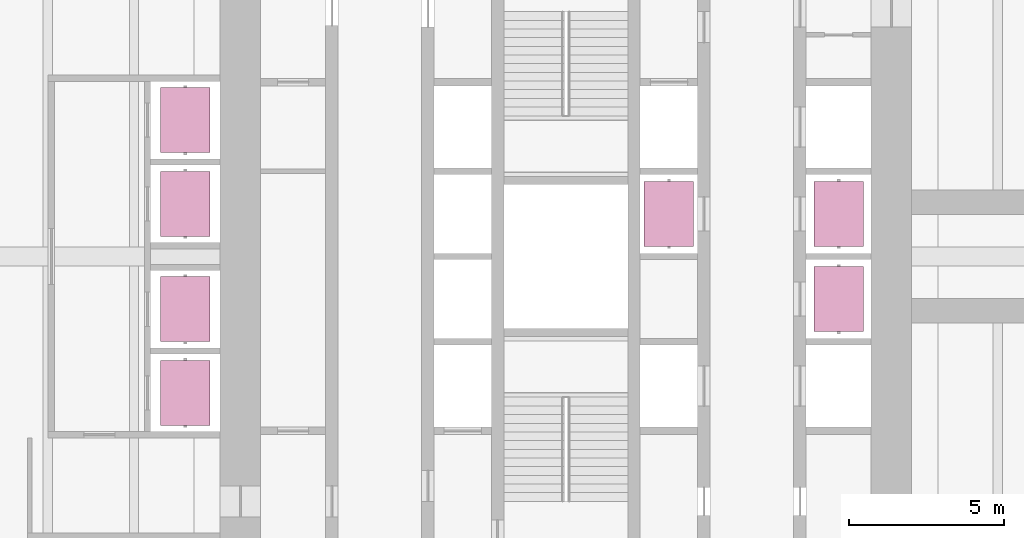
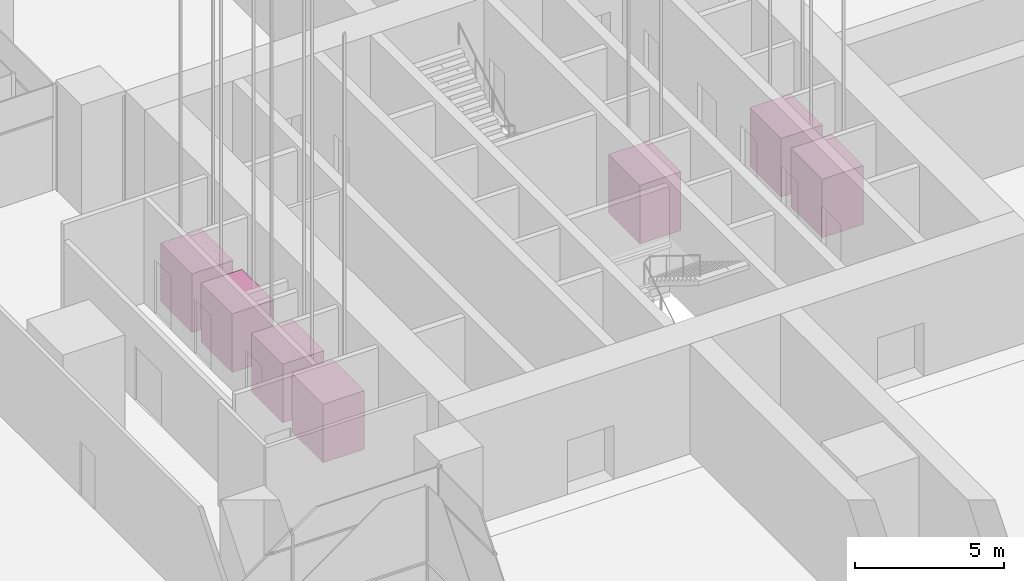
# One storey, part 20 of 34: 7 transport elements.
"""IFC4 building model written with IfcOpenShell, lengths in metres."""

import ifcopenshell
import ifcopenshell.guid

model = None  # the IFC model being written
_history = None  # IfcOwnerHistory: only IFC2X3 demands one
_inside = {}  # id of a spatial element -> (the spatial element, [elements in it])
_under = {}  # id of a project, library or spatial element -> (it, [spatial elements below it])
_declared = {}  # id of a project -> (the project, [libraries it declares])
_typed = {}  # id of a type object -> (the type object, [elements of that type])
_made_of = {}  # id of a material, layer set ... -> (it, [elements and type objects made of it])


def new_model(schema):
    """Start an empty IFC model of exactly this schema.

    Asked for "IFC4X3", IfcOpenShell would pick the latest addendum, in which some entities
    have other attributes; the version numbers below select the first issue.
    IFC2X3 requires an IfcOwnerHistory on every rooted entity: one is made here for all.
    """
    global model, _history
    if schema == "IFC4X3":
        model = ifcopenshell.file(schema_version=(4, 3, 0, 0))
    else:
        model = ifcopenshell.file(schema=schema)
    _inside.clear()
    _under.clear()
    _declared.clear()
    _typed.clear()
    _made_of.clear()
    _history = None
    if model.schema == "IFC2X3":
        org = make("IfcOrganization", Name="unknown")
        user = make(
            "IfcPersonAndOrganization",
            ThePerson=make("IfcPerson", FamilyName="unknown"),
            TheOrganization=org,
        )
        app = make(
            "IfcApplication",
            ApplicationDeveloper=org,
            Version="unknown",
            ApplicationFullName="unknown",
            ApplicationIdentifier="unknown",
        )
        _history = make(
            "IfcOwnerHistory",
            OwningUser=user,
            OwningApplication=app,
            ChangeAction="ADDED",
            CreationDate=0,
        )
    return model


def make(cls, **values):
    """One entity of the class cls with the attributes given. An attribute that is None is left unset."""
    return model.create_entity(
        cls, **{name: value for name, value in values.items() if value is not None}
    )


def rooted(cls, **values):
    """An entity with a GlobalId (a new one), such as an element, a storey or a relation."""
    return make(cls, GlobalId=ifcopenshell.guid.new(), OwnerHistory=_history, **values)


def si_unit(unit_type, name, prefix=None):
    """IfcSIUnit, for example si_unit("LENGTHUNIT", "METRE", prefix="MILLI")."""
    return make("IfcSIUnit", UnitType=unit_type, Prefix=prefix, Name=name)


def assignment(units):
    """IfcUnitAssignment: the units of a project."""
    return None if units is None else make("IfcUnitAssignment", Units=units)


def point(xyz):
    """IfcCartesianPoint."""
    return None if xyz is None else make("IfcCartesianPoint", Coordinates=xyz)


def direction(xyz):
    """IfcDirection."""
    return None if xyz is None else make("IfcDirection", DirectionRatios=xyz)


def frame(location, z_axis=None, x_axis=None):
    """IfcAxis2Placement3D, a coordinate frame: its origin and axes. An axis left out is left unset."""
    return make(
        "IfcAxis2Placement3D",
        Location=point(location),
        Axis=direction(z_axis),
        RefDirection=direction(x_axis),
    )


def frame_2d(location, x_axis=None):
    """IfcAxis2Placement2D, a coordinate frame in the plane: its origin and x axis."""
    return make(
        "IfcAxis2Placement2D", Location=point(location), RefDirection=direction(x_axis)
    )


def origin():
    """The frame at (0, 0, 0) with its axes left unset."""
    return frame((0.0, 0.0, 0.0))


def origin_2d():
    """The frame at (0, 0) in the plane with its x axis left unset."""
    return frame_2d((0.0, 0.0))


def place(relative_to, where):
    """IfcLocalPlacement: puts the frame where relative to a parent placement (None: the world)."""
    return make(
        "IfcLocalPlacement", PlacementRelTo=relative_to, RelativePlacement=where
    )


def context(
    kind, dimensions, precision=None, world=None, true_north=None, identifier=None
):
    """IfcGeometricRepresentationContext, for example the 3D "Model" context."""
    return make(
        "IfcGeometricRepresentationContext",
        ContextIdentifier=identifier,
        ContextType=kind,
        CoordinateSpaceDimension=dimensions,
        Precision=precision,
        WorldCoordinateSystem=world,
        TrueNorth=true_north,
    )


def subcontext(parent, identifier, kind, view, scale=None):
    """IfcGeometricRepresentationSubContext, for example "Body" below "Model"."""
    return make(
        "IfcGeometricRepresentationSubContext",
        ContextIdentifier=identifier,
        ContextType=kind,
        ParentContext=parent,
        TargetScale=scale,
        TargetView=view,
    )


def project(units=None, contexts=None):
    """IfcProject with its units and contexts."""
    return rooted(
        "IfcProject",
        Name="project",
        RepresentationContexts=contexts,
        UnitsInContext=assignment(units),
    )


def spatial(cls, under=None, at=None, **own):
    """A site, building, storey or space (cls), placed at a placement, below another one or the project."""
    s = rooted(cls, ObjectPlacement=at, **own)
    if under is not None:
        _under.setdefault(under.id(), (under, []))[1].append(s)
    return s


def profile(cls, at=None, kind="AREA", **sizes):
    """A parametric profile (cls). Its sizes go by their IFC names, for example OverallWidth=200.0."""
    return make(cls, ProfileType=kind, Position=at, **sizes)


def rectangle(**sizes):
    """IfcRectangleProfileDef."""
    return profile("IfcRectangleProfileDef", **sizes)


def extrude(swept, where, along, depth):
    """IfcExtrudedAreaSolid: the profile swept, set in the frame where, extruded along a direction by depth."""
    return make(
        "IfcExtrudedAreaSolid",
        SweptArea=swept,
        Position=where,
        ExtrudedDirection=direction(along),
        Depth=depth,
    )


def shape(context_of_items, identifier, shape_type, items):
    """IfcShapeRepresentation: the items that make up one representation, for example the "Body"."""
    return make(
        "IfcShapeRepresentation",
        ContextOfItems=context_of_items,
        RepresentationIdentifier=identifier,
        RepresentationType=shape_type,
        Items=items,
    )


def material(Name=None, Category=None):
    """IfcMaterial."""
    return make("IfcMaterial", Name=Name, Category=Category)


def made_of(thing, what):
    """Note that an element or type object is made of a material, layer set ...; save() writes the relation."""
    if what is not None:
        _made_of.setdefault(what.id(), (what, []))[1].append(thing)
    return thing


def type_object(cls, material=None, **own):
    """A type object (cls), such as IfcWallType, which elements share."""
    return made_of(rooted(cls, **own), material)


def element(
    cls,
    number,
    at=None,
    inside=None,
    cuts=None,
    type_object=None,
    material=None,
    context=None,
    identifier="Body",
    shape_type=None,
    held_by="IfcProductDefinitionShape",
    body=None,
    shapes=None,
    **own,
):
    """One element of the class cls, such as IfcWall. Its Tag is "e" and its number.

    at: its placement. inside: the storey or other place that contains it. cuts: it is an
    opening in that element (IfcRelVoidsElement). A single representation is given by context,
    identifier, shape_type and body (its items); several are given by shapes. held_by: the class
    of the entity that holds the representations. save() writes the other relations.
    """
    e = rooted(cls, Tag="e%d" % number, ObjectPlacement=at, **own)
    if body is not None:
        shapes = [shape(context, identifier, shape_type, body)]
    if shapes is not None:
        e.Representation = make(held_by, Representations=shapes)
    if inside is not None:
        _inside.setdefault(inside.id(), (inside, []))[1].append(e)
    if cuts is not None:
        rooted(
            "IfcRelVoidsElement", RelatingBuildingElement=cuts, RelatedOpeningElement=e
        )
    if type_object is not None:
        _typed.setdefault(type_object.id(), (type_object, []))[1].append(e)
    return made_of(e, material)


def aggregate(whole, parts):
    """IfcRelAggregates: a whole, such as a stair, and the parts it consists of."""
    return rooted("IfcRelAggregates", RelatingObject=whole, RelatedObjects=parts)


def save(model, path):
    """Write the relations noted so far, then the file.

    IfcRelAggregates (storeys below a building ...), IfcRelContainedInSpatialStructure (elements
    in a storey), IfcRelDefinesByType, IfcRelAssociatesMaterial and IfcRelDeclares: one each for
    every whole, place, type object, material and project.
    """
    for whole, parts in _under.values():
        aggregate(whole, parts)
    for where, things in _inside.values():
        rooted(
            "IfcRelContainedInSpatialStructure",
            RelatedElements=things,
            RelatingStructure=where,
        )
    for kind, things in _typed.values():
        rooted("IfcRelDefinesByType", RelatedObjects=things, RelatingType=kind)
    for what, things in _made_of.values():
        rooted("IfcRelAssociatesMaterial", RelatedObjects=things, RelatingMaterial=what)
    for by, libraries in _declared.values():
        rooted("IfcRelDeclares", RelatingContext=by, RelatedDefinitions=libraries)
    model.write(path)


model = new_model("IFC4")

# Units and contexts
model_context = context("Model", 3, precision=1e-05, world=origin(), true_north=direction((0.0, 1.0)))
body_context = subcontext(model_context, "Body", "Model", "MODEL_VIEW")
ifc_project = project(units=[si_unit("LENGTHUNIT", "METRE"), si_unit("AREAUNIT", "SQUARE_METRE"), si_unit("VOLUMEUNIT", "CUBIC_METRE"), si_unit("PLANEANGLEUNIT", "RADIAN"), si_unit("MASSUNIT", "GRAM", prefix="KILO")], contexts=[model_context])

# Site, building, storey
site_placement = place(None, origin())
site = spatial("IfcSite", under=ifc_project, at=site_placement, CompositionType="ELEMENT")
building_placement = place(site_placement, origin())
building = spatial("IfcBuilding", under=site, at=building_placement, Name="Mizan Broadcast Tower", CompositionType="ELEMENT")
storey_placement = place(building_placement, frame((0.0, 0.0, 194.39990234375)))
storey = spatial("IfcBuildingStorey", under=building, at=storey_placement, Name="L45", CompositionType="ELEMENT", Elevation=194.39990234375)

# Transport elements
ifc_material = material(Name="Stainless steel lift car", Category="steel")
transport_element_type = type_object("IfcTransportElementType", Name="LIFT CAR PASSENGER 2100x1600", PredefinedType="ELEVATOR", material=ifc_material)
for number, where, z_axis, x_axis, name in (
    (1, (-12.27490234375, 4.39990234375, 0.000244140625), (0.0, 0.0, 1.0), (1.0, 0.0, 0.0), "Lift LC1"),
    (2, (-12.27490234375, 1.699951171875, 0.000244140625), (0.0, 0.0, 1.0), (1.0, 0.0, 0.0), "Lift LC2"),
    (3, (-12.27490234375, -1.699951171875, 0.000244140625), (0.0, 0.0, 1.0), (1.0, 0.0, 0.0), "Lift LC3"),
    (4, (-12.27490234375, -4.39990234375, 0.000244140625), (0.0, 0.0, 1.0), (1.0, 0.0, 0.0), "Lift LC4"),
    (5, (8.800048828125, 1.375, 0.000244140625), (0.0, 0.0, 1.0), (1.0, 0.0, 0.0), "Lift LD1"),
    (6, (8.800048828125, -1.375, 0.000244140625), (0.0, 0.0, 1.0), (1.0, 0.0, 0.0), "Lift LD2"),
    (7, (3.324951171875, 1.375, 0.000244140625), (0.0, 0.0, 1.0), (1.0, 0.0, 0.0), "Lift LD3"),
):
    element("IfcTransportElement", number, at=place(storey_placement, frame(where, z_axis=z_axis, x_axis=x_axis)), inside=storey, type_object=transport_element_type, Name=name, PredefinedType="ELEVATOR", context=body_context, shape_type="SweptSolid", body=[
        extrude(rectangle(XDim=1.60009765625, YDim=2.10009765625, at=origin_2d()), origin(), (0.0, 0.0, 1.0), 2.39990234375),
    ])

save(model, "model.ifc")
